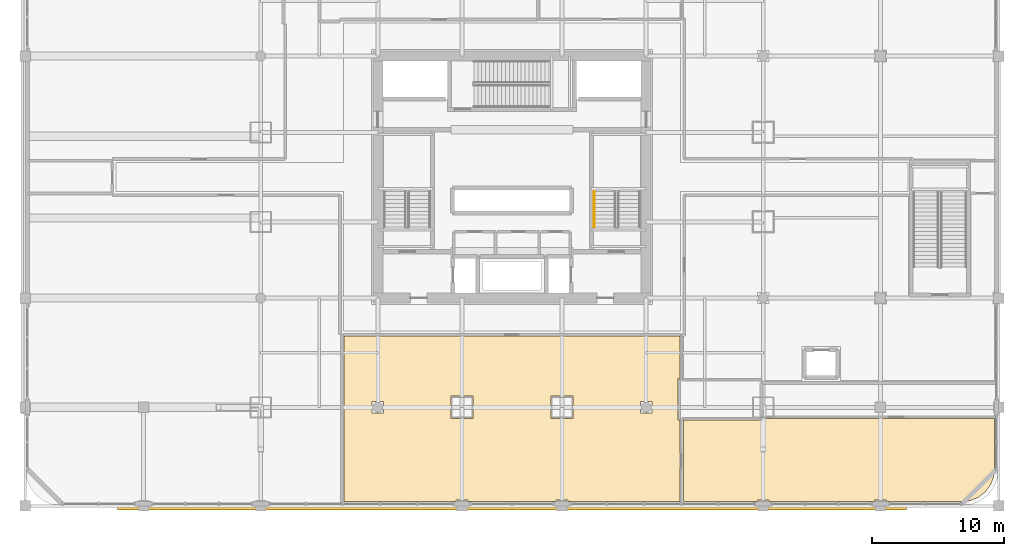
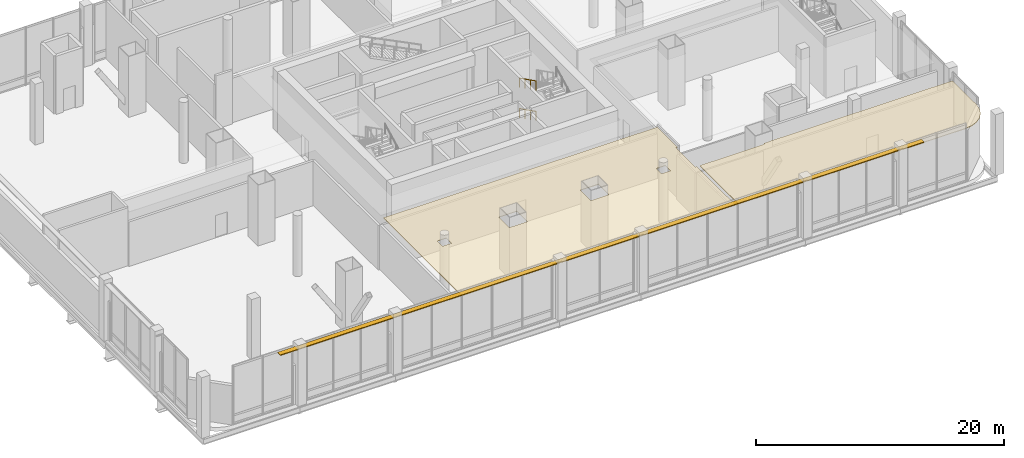
# One storey, part 32 of 38: 2 coverings, 2 railings, 1 shading device.
"""IFC4 building model written with IfcOpenShell, lengths in metres."""

import ifcopenshell
import ifcopenshell.guid

model = None  # the IFC model being written
_history = None  # IfcOwnerHistory: only IFC2X3 demands one
_inside = {}  # id of a spatial element -> (the spatial element, [elements in it])
_under = {}  # id of a project, library or spatial element -> (it, [spatial elements below it])
_declared = {}  # id of a project -> (the project, [libraries it declares])
_typed = {}  # id of a type object -> (the type object, [elements of that type])
_made_of = {}  # id of a material, layer set ... -> (it, [elements and type objects made of it])


def new_model(schema):
    """Start an empty IFC model of exactly this schema.

    Asked for "IFC4X3", IfcOpenShell would pick the latest addendum, in which some entities
    have other attributes; the version numbers below select the first issue.
    IFC2X3 requires an IfcOwnerHistory on every rooted entity: one is made here for all.
    """
    global model, _history
    if schema == "IFC4X3":
        model = ifcopenshell.file(schema_version=(4, 3, 0, 0))
    else:
        model = ifcopenshell.file(schema=schema)
    _inside.clear()
    _under.clear()
    _declared.clear()
    _typed.clear()
    _made_of.clear()
    _history = None
    if model.schema == "IFC2X3":
        org = make("IfcOrganization", Name="unknown")
        user = make(
            "IfcPersonAndOrganization",
            ThePerson=make("IfcPerson", FamilyName="unknown"),
            TheOrganization=org,
        )
        app = make(
            "IfcApplication",
            ApplicationDeveloper=org,
            Version="unknown",
            ApplicationFullName="unknown",
            ApplicationIdentifier="unknown",
        )
        _history = make(
            "IfcOwnerHistory",
            OwningUser=user,
            OwningApplication=app,
            ChangeAction="ADDED",
            CreationDate=0,
        )
    return model


def make(cls, **values):
    """One entity of the class cls with the attributes given. An attribute that is None is left unset."""
    return model.create_entity(
        cls, **{name: value for name, value in values.items() if value is not None}
    )


def rooted(cls, **values):
    """An entity with a GlobalId (a new one), such as an element, a storey or a relation."""
    return make(cls, GlobalId=ifcopenshell.guid.new(), OwnerHistory=_history, **values)


def si_unit(unit_type, name, prefix=None):
    """IfcSIUnit, for example si_unit("LENGTHUNIT", "METRE", prefix="MILLI")."""
    return make("IfcSIUnit", UnitType=unit_type, Prefix=prefix, Name=name)


def assignment(units):
    """IfcUnitAssignment: the units of a project."""
    return None if units is None else make("IfcUnitAssignment", Units=units)


def point(xyz):
    """IfcCartesianPoint."""
    return None if xyz is None else make("IfcCartesianPoint", Coordinates=xyz)


def direction(xyz):
    """IfcDirection."""
    return None if xyz is None else make("IfcDirection", DirectionRatios=xyz)


def frame(location, z_axis=None, x_axis=None):
    """IfcAxis2Placement3D, a coordinate frame: its origin and axes. An axis left out is left unset."""
    return make(
        "IfcAxis2Placement3D",
        Location=point(location),
        Axis=direction(z_axis),
        RefDirection=direction(x_axis),
    )


def frame_2d(location, x_axis=None):
    """IfcAxis2Placement2D, a coordinate frame in the plane: its origin and x axis."""
    return make(
        "IfcAxis2Placement2D", Location=point(location), RefDirection=direction(x_axis)
    )


def origin():
    """The frame at (0, 0, 0) with its axes left unset."""
    return frame((0.0, 0.0, 0.0))


def origin_2d():
    """The frame at (0, 0) in the plane with its x axis left unset."""
    return frame_2d((0.0, 0.0))


def place(relative_to, where):
    """IfcLocalPlacement: puts the frame where relative to a parent placement (None: the world)."""
    return make(
        "IfcLocalPlacement", PlacementRelTo=relative_to, RelativePlacement=where
    )


def context(
    kind, dimensions, precision=None, world=None, true_north=None, identifier=None
):
    """IfcGeometricRepresentationContext, for example the 3D "Model" context."""
    return make(
        "IfcGeometricRepresentationContext",
        ContextIdentifier=identifier,
        ContextType=kind,
        CoordinateSpaceDimension=dimensions,
        Precision=precision,
        WorldCoordinateSystem=world,
        TrueNorth=true_north,
    )


def subcontext(parent, identifier, kind, view, scale=None):
    """IfcGeometricRepresentationSubContext, for example "Body" below "Model"."""
    return make(
        "IfcGeometricRepresentationSubContext",
        ContextIdentifier=identifier,
        ContextType=kind,
        ParentContext=parent,
        TargetScale=scale,
        TargetView=view,
    )


def project(units=None, contexts=None):
    """IfcProject with its units and contexts."""
    return rooted(
        "IfcProject",
        Name="project",
        RepresentationContexts=contexts,
        UnitsInContext=assignment(units),
    )


def spatial(cls, under=None, at=None, **own):
    """A site, building, storey or space (cls), placed at a placement, below another one or the project."""
    s = rooted(cls, ObjectPlacement=at, **own)
    if under is not None:
        _under.setdefault(under.id(), (under, []))[1].append(s)
    return s


def polyline(points):
    """IfcPolyline through the points."""
    return make("IfcPolyline", Points=[point(p) for p in points])


def profile(cls, at=None, kind="AREA", **sizes):
    """A parametric profile (cls). Its sizes go by their IFC names, for example OverallWidth=200.0."""
    return make(cls, ProfileType=kind, Position=at, **sizes)


def rectangle(**sizes):
    """IfcRectangleProfileDef."""
    return profile("IfcRectangleProfileDef", **sizes)


def circle(**sizes):
    """IfcCircleProfileDef."""
    return profile("IfcCircleProfileDef", **sizes)


def outline(outer, holes=None, kind="AREA"):
    """IfcArbitraryClosedProfileDef: a profile drawn as a closed curve; with holes, ...WithVoids."""
    if holes is None:
        return make("IfcArbitraryClosedProfileDef", ProfileType=kind, OuterCurve=outer)
    return make(
        "IfcArbitraryProfileDefWithVoids",
        ProfileType=kind,
        OuterCurve=outer,
        InnerCurves=holes,
    )


def extrude(swept, where, along, depth):
    """IfcExtrudedAreaSolid: the profile swept, set in the frame where, extruded along a direction by depth."""
    return make(
        "IfcExtrudedAreaSolid",
        SweptArea=swept,
        Position=where,
        ExtrudedDirection=direction(along),
        Depth=depth,
    )


def shape(context_of_items, identifier, shape_type, items):
    """IfcShapeRepresentation: the items that make up one representation, for example the "Body"."""
    return make(
        "IfcShapeRepresentation",
        ContextOfItems=context_of_items,
        RepresentationIdentifier=identifier,
        RepresentationType=shape_type,
        Items=items,
    )


def material(Name=None, Category=None):
    """IfcMaterial."""
    return make("IfcMaterial", Name=Name, Category=Category)


def layer(
    of_material, thickness, ventilated=None, Name=None, Category=None, Priority=None
):
    """IfcMaterialLayer: one layer of a wall or slab, of a material (None: an air gap)."""
    return make(
        "IfcMaterialLayer",
        Material=of_material,
        LayerThickness=thickness,
        IsVentilated=ventilated,
        Name=Name,
        Category=Category,
        Priority=Priority,
    )


def layer_set(layers, Name=None):
    """IfcMaterialLayerSet."""
    return make("IfcMaterialLayerSet", MaterialLayers=layers, LayerSetName=Name)


def material_profile(
    of_material, cross_section, Name=None, Category=None, Priority=None
):
    """IfcMaterialProfile: a cross section and its material."""
    return make(
        "IfcMaterialProfile",
        Name=Name,
        Material=of_material,
        Profile=cross_section,
        Priority=Priority,
        Category=Category,
    )


def profile_set(profiles, Name=None, composite=None):
    """IfcMaterialProfileSet."""
    return make(
        "IfcMaterialProfileSet",
        Name=Name,
        MaterialProfiles=profiles,
        CompositeProfile=composite,
    )


def made_of(thing, what):
    """Note that an element or type object is made of a material, layer set ...; save() writes the relation."""
    if what is not None:
        _made_of.setdefault(what.id(), (what, []))[1].append(thing)
    return thing


def type_object(cls, material=None, **own):
    """A type object (cls), such as IfcWallType, which elements share."""
    return made_of(rooted(cls, **own), material)


def element(
    cls,
    number,
    at=None,
    inside=None,
    cuts=None,
    type_object=None,
    material=None,
    context=None,
    identifier="Body",
    shape_type=None,
    held_by="IfcProductDefinitionShape",
    body=None,
    shapes=None,
    **own,
):
    """One element of the class cls, such as IfcWall. Its Tag is "e" and its number.

    at: its placement. inside: the storey or other place that contains it. cuts: it is an
    opening in that element (IfcRelVoidsElement). A single representation is given by context,
    identifier, shape_type and body (its items); several are given by shapes. held_by: the class
    of the entity that holds the representations. save() writes the other relations.
    """
    e = rooted(cls, Tag="e%d" % number, ObjectPlacement=at, **own)
    if body is not None:
        shapes = [shape(context, identifier, shape_type, body)]
    if shapes is not None:
        e.Representation = make(held_by, Representations=shapes)
    if inside is not None:
        _inside.setdefault(inside.id(), (inside, []))[1].append(e)
    if cuts is not None:
        rooted(
            "IfcRelVoidsElement", RelatingBuildingElement=cuts, RelatedOpeningElement=e
        )
    if type_object is not None:
        _typed.setdefault(type_object.id(), (type_object, []))[1].append(e)
    return made_of(e, material)


def aggregate(whole, parts):
    """IfcRelAggregates: a whole, such as a stair, and the parts it consists of."""
    return rooted("IfcRelAggregates", RelatingObject=whole, RelatedObjects=parts)


def save(model, path):
    """Write the relations noted so far, then the file.

    IfcRelAggregates (storeys below a building ...), IfcRelContainedInSpatialStructure (elements
    in a storey), IfcRelDefinesByType, IfcRelAssociatesMaterial and IfcRelDeclares: one each for
    every whole, place, type object, material and project.
    """
    for whole, parts in _under.values():
        aggregate(whole, parts)
    for where, things in _inside.values():
        rooted(
            "IfcRelContainedInSpatialStructure",
            RelatedElements=things,
            RelatingStructure=where,
        )
    for kind, things in _typed.values():
        rooted("IfcRelDefinesByType", RelatedObjects=things, RelatingType=kind)
    for what, things in _made_of.values():
        rooted("IfcRelAssociatesMaterial", RelatedObjects=things, RelatingMaterial=what)
    for by, libraries in _declared.values():
        rooted("IfcRelDeclares", RelatingContext=by, RelatedDefinitions=libraries)
    model.write(path)


model = new_model("IFC4")

# Units and contexts
model_context = context("Model", 3, precision=1e-05, world=origin(), true_north=direction((0.0, 1.0)))
body_context = subcontext(model_context, "Body", "Model", "MODEL_VIEW")
ifc_project = project(units=[si_unit("LENGTHUNIT", "METRE"), si_unit("AREAUNIT", "SQUARE_METRE"), si_unit("VOLUMEUNIT", "CUBIC_METRE"), si_unit("PLANEANGLEUNIT", "RADIAN"), si_unit("MASSUNIT", "GRAM", prefix="KILO")], contexts=[model_context])

# Site, building, storey
site_placement = place(None, origin())
site = spatial("IfcSite", under=ifc_project, at=site_placement, CompositionType="ELEMENT")
building_placement = place(site_placement, origin())
building = spatial("IfcBuilding", under=site, at=building_placement, Name="Punatoya Terracotta Tower", CompositionType="ELEMENT")
storey_placement = place(building_placement, frame((0.0, 0.0, 22.199951171875)))
storey = spatial("IfcBuildingStorey", under=building, at=storey_placement, Name="L04", CompositionType="ELEMENT", Elevation=22.199951171875)

# Coverings
ifc_material_1 = material(Name="Acoustic Mineral Fibre Ceiling")
ifc_layer = layer(ifc_material_1, 0.06005859375)
ifc_layer_set = layer_set([ifc_layer], Name="Acoustic Mineral Fibre Ceiling")
covering_type = type_object("IfcCoveringType", Name="COV-CEIL-60", PredefinedType="CEILING", material=ifc_layer_set)
covering_1_placement = place(storey_placement, frame((0.0, 0.0, 5.010009765625)))
element("IfcCovering", 1, at=covering_1_placement, inside=storey, type_object=covering_type, Name="L04 South Corporate Data Operations Suite Acoustic Ceiling", PredefinedType="CEILING", context=body_context, shape_type="SweptSolid", body=[
    extrude(outline(polyline([(-4.25, -24.550048828125), (-3.35009765625, -24.550048828125), (-3.35009765625, -24.679931640625), (3.35009765625, -24.679931640625), (3.35009765625, -24.550048828125), (4.25, -24.550048828125), (4.25, -24.679931640625), (12.760009765625, -24.679931640625), (12.760009765625, -18.47998046875), (12.6201171875, -18.47998046875), (12.6201171875, -15.320068359375), (12.760009765625, -15.320068359375), (12.760009765625, -12.080078125), (-12.760009765625, -12.080078125), (-12.760009765625, -24.679931640625), (-4.25, -24.679931640625), (-4.25, -24.550048828125)]), holes=[polyline([(9.77490234375, -17.074951171875), (10.625, -17.074951171875), (10.625, -17.925048828125), (9.77490234375, -17.925048828125), (9.77490234375, -17.074951171875)]), polyline([(2.949951171875, -18.35009765625), (2.949951171875, -16.64990234375), (4.64990234375, -16.64990234375), (4.64990234375, -18.35009765625), (2.949951171875, -18.35009765625)]), polyline([(-2.949951171875, -18.35009765625), (-4.64990234375, -18.35009765625), (-4.64990234375, -16.64990234375), (-2.949951171875, -16.64990234375), (-2.949951171875, -18.35009765625)]), polyline([(-10.625, -17.925048828125), (-10.625, -17.074951171875), (-9.77490234375, -17.074951171875), (-9.77490234375, -17.925048828125), (-10.625, -17.925048828125)])]), origin(), (0.0, 0.0, 1.0), 0.06005859375),
])
covering_2_placement = place(storey_placement, frame((0.0, 0.0, 5.010009765625)))
element("IfcCovering", 2, at=covering_2_placement, inside=storey, type_object=covering_type, Name="L04 South-East Recovery Lounge Acoustic Ceiling", PredefinedType="CEILING", context=body_context, shape_type="SweptSolid", body=[
    extrude(outline(polyline([(18.64990234375, -24.679931640625), (18.64990234375, -24.550048828125), (19.550048828125, -24.550048828125), (19.550048828125, -24.679931640625), (27.550048828125, -24.679931640625), (27.550048828125, -24.550048828125), (28.449951171875, -24.550048828125), (28.449951171875, -24.679931640625), (34.178955078125, -24.679931640625), (34.84130859375, -24.5927734375), (35.438720703125, -24.345458984375), (35.95166015625, -23.95166015625), (36.345458984375, -23.438720703125), (36.5927734375, -22.84130859375), (36.679931640625, -22.178955078125), (36.679931640625, -18.340087890625), (19.949951171875, -18.340087890625), (19.080078125, -18.35009765625), (19.080078125, -18.47998046875), (13.0400390625, -18.47998046875), (13.0400390625, -24.679931640625), (18.64990234375, -24.679931640625)])), origin(), (0.0, 0.0, 1.0), 0.06005859375),
])

# Railings
ifc_material_2 = material(Name="Steel S355", Category="steel")
railing_type = type_object("IfcRailingType", Name="RLG-HND-900", PredefinedType="HANDRAIL", material=ifc_material_2)
for number, where, name in (
    (3, (6.25, -1.10009765625, 1.650146484375), "L04 ST-2 stair handrail 2"),
    (4, (6.25, -1.10009765625, 4.650146484375), "L04 ST-2 stair handrail 4"),
):
    element("IfcRailing", number, at=place(storey_placement, frame(where)), inside=storey, type_object=railing_type, Name=name, PredefinedType="HANDRAIL", context=body_context, shape_type="SweptSolid", body=[
        extrude(circle(Radius=0.02392578125, at=origin_2d()), frame((0.0, 0.0, 0.8759765625), z_axis=(0.0, -0.89444336626, 0.447181243517), x_axis=(1.0, 0.0, 0.0)), (0.0, 0.0, 1.0), 3.0185546875),
        extrude(circle(Radius=0.02099609375, at=origin_2d()), origin(), (0.0, 0.0, 1.0), 0.851806640625),
        extrude(circle(Radius=0.02099609375, at=origin_2d()), frame((0.0, -0.89990234375, 0.449951171875)), (0.0, 0.0, 1.0), 0.851806640625),
        extrude(circle(Radius=0.02099609375, at=origin_2d()), frame((0.0, -1.800048828125, 0.89990234375)), (0.0, 0.0, 1.0), 0.851806640625),
        extrude(circle(Radius=0.02099609375, at=origin_2d()), frame((0.0, -2.699951171875, 1.349853515625)), (0.0, 0.0, 1.0), 0.851806640625),
    ])

# Shading device
ifc_material_3 = material(Name="Architectural Fired Terracotta", Category="masonry")
ifc_material_profile = material_profile(ifc_material_3, rectangle(XDim=0.449951171875, YDim=0.080078125, at=origin_2d()))
ifc_profile_set = profile_set([ifc_material_profile], Name="Architectural Fired Terracotta")
shading_device_type = type_object("IfcShadingDeviceType", Name="SHD-CHAJ-450", PredefinedType="USERDEFINED", material=ifc_profile_set)
shading_device_placement = place(storey_placement, frame((-30.0, -25.090087890625, 5.570068359375), z_axis=(1.0, 0.0, 0.0), x_axis=(0.0, 1.0, 0.0)))
element("IfcShadingDevice", 5, at=shading_device_placement, inside=storey, type_object=shading_device_type, Name="L04 Projecting Terracotta Chhajja Sunshade 1", ObjectType="SUNSHADE", PredefinedType="USERDEFINED", context=body_context, shape_type="SweptSolid", body=[
    extrude(rectangle(XDim=0.449951171875, YDim=0.080078125, at=origin_2d()), origin(), (0.0, 0.0, 1.0), 60.0),
])

save(model, "model.ifc")
